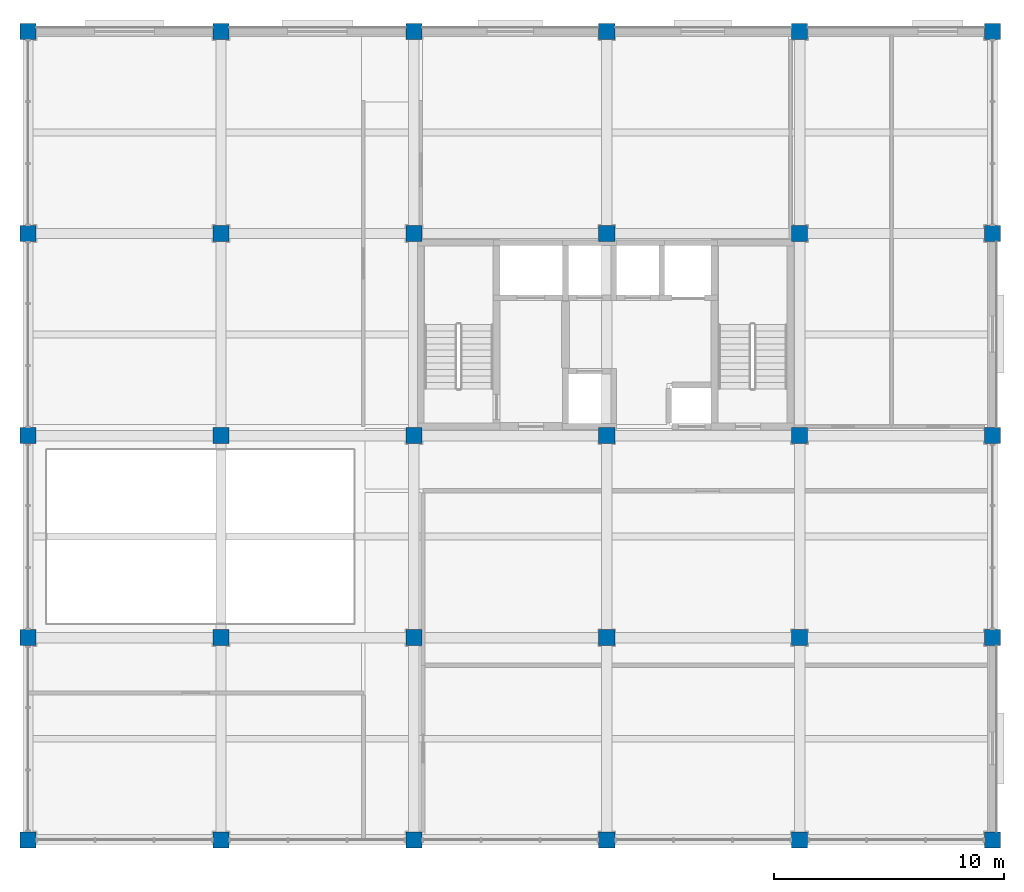
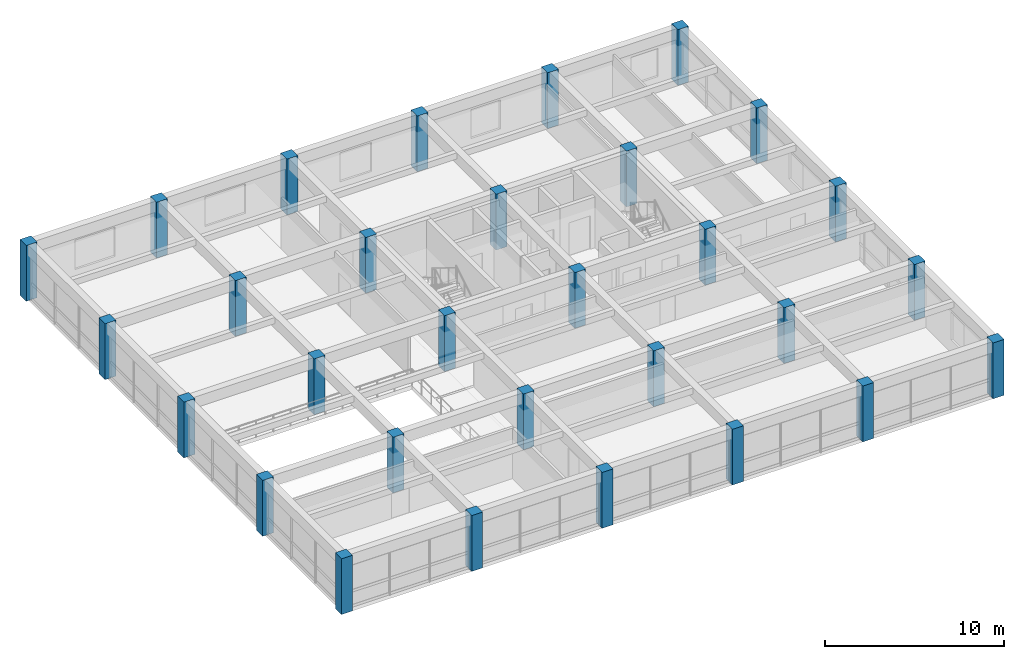
# One storey, part 1 of 13: 30 columns.
"""IFC4 building model written with IfcOpenShell, lengths in metres."""

import ifcopenshell
import ifcopenshell.guid

model = None  # the IFC model being written
_history = None  # IfcOwnerHistory: only IFC2X3 demands one
_inside = {}  # id of a spatial element -> (the spatial element, [elements in it])
_under = {}  # id of a project, library or spatial element -> (it, [spatial elements below it])
_declared = {}  # id of a project -> (the project, [libraries it declares])
_typed = {}  # id of a type object -> (the type object, [elements of that type])
_made_of = {}  # id of a material, layer set ... -> (it, [elements and type objects made of it])


def new_model(schema):
    """Start an empty IFC model of exactly this schema.

    Asked for "IFC4X3", IfcOpenShell would pick the latest addendum, in which some entities
    have other attributes; the version numbers below select the first issue.
    IFC2X3 requires an IfcOwnerHistory on every rooted entity: one is made here for all.
    """
    global model, _history
    if schema == "IFC4X3":
        model = ifcopenshell.file(schema_version=(4, 3, 0, 0))
    else:
        model = ifcopenshell.file(schema=schema)
    _inside.clear()
    _under.clear()
    _declared.clear()
    _typed.clear()
    _made_of.clear()
    _history = None
    if model.schema == "IFC2X3":
        org = make("IfcOrganization", Name="unknown")
        user = make(
            "IfcPersonAndOrganization",
            ThePerson=make("IfcPerson", FamilyName="unknown"),
            TheOrganization=org,
        )
        app = make(
            "IfcApplication",
            ApplicationDeveloper=org,
            Version="unknown",
            ApplicationFullName="unknown",
            ApplicationIdentifier="unknown",
        )
        _history = make(
            "IfcOwnerHistory",
            OwningUser=user,
            OwningApplication=app,
            ChangeAction="ADDED",
            CreationDate=0,
        )
    return model


def make(cls, **values):
    """One entity of the class cls with the attributes given. An attribute that is None is left unset."""
    return model.create_entity(
        cls, **{name: value for name, value in values.items() if value is not None}
    )


def rooted(cls, **values):
    """An entity with a GlobalId (a new one), such as an element, a storey or a relation."""
    return make(cls, GlobalId=ifcopenshell.guid.new(), OwnerHistory=_history, **values)


def si_unit(unit_type, name, prefix=None):
    """IfcSIUnit, for example si_unit("LENGTHUNIT", "METRE", prefix="MILLI")."""
    return make("IfcSIUnit", UnitType=unit_type, Prefix=prefix, Name=name)


def assignment(units):
    """IfcUnitAssignment: the units of a project."""
    return None if units is None else make("IfcUnitAssignment", Units=units)


def point(xyz):
    """IfcCartesianPoint."""
    return None if xyz is None else make("IfcCartesianPoint", Coordinates=xyz)


def direction(xyz):
    """IfcDirection."""
    return None if xyz is None else make("IfcDirection", DirectionRatios=xyz)


def frame(location, z_axis=None, x_axis=None):
    """IfcAxis2Placement3D, a coordinate frame: its origin and axes. An axis left out is left unset."""
    return make(
        "IfcAxis2Placement3D",
        Location=point(location),
        Axis=direction(z_axis),
        RefDirection=direction(x_axis),
    )


def frame_2d(location, x_axis=None):
    """IfcAxis2Placement2D, a coordinate frame in the plane: its origin and x axis."""
    return make(
        "IfcAxis2Placement2D", Location=point(location), RefDirection=direction(x_axis)
    )


def origin():
    """The frame at (0, 0, 0) with its axes left unset."""
    return frame((0.0, 0.0, 0.0))


def origin_2d():
    """The frame at (0, 0) in the plane with its x axis left unset."""
    return frame_2d((0.0, 0.0))


def place(relative_to, where):
    """IfcLocalPlacement: puts the frame where relative to a parent placement (None: the world)."""
    return make(
        "IfcLocalPlacement", PlacementRelTo=relative_to, RelativePlacement=where
    )


def context(
    kind, dimensions, precision=None, world=None, true_north=None, identifier=None
):
    """IfcGeometricRepresentationContext, for example the 3D "Model" context."""
    return make(
        "IfcGeometricRepresentationContext",
        ContextIdentifier=identifier,
        ContextType=kind,
        CoordinateSpaceDimension=dimensions,
        Precision=precision,
        WorldCoordinateSystem=world,
        TrueNorth=true_north,
    )


def subcontext(parent, identifier, kind, view, scale=None):
    """IfcGeometricRepresentationSubContext, for example "Body" below "Model"."""
    return make(
        "IfcGeometricRepresentationSubContext",
        ContextIdentifier=identifier,
        ContextType=kind,
        ParentContext=parent,
        TargetScale=scale,
        TargetView=view,
    )


def project(units=None, contexts=None):
    """IfcProject with its units and contexts."""
    return rooted(
        "IfcProject",
        Name="project",
        RepresentationContexts=contexts,
        UnitsInContext=assignment(units),
    )


def spatial(cls, under=None, at=None, **own):
    """A site, building, storey or space (cls), placed at a placement, below another one or the project."""
    s = rooted(cls, ObjectPlacement=at, **own)
    if under is not None:
        _under.setdefault(under.id(), (under, []))[1].append(s)
    return s


def profile(cls, at=None, kind="AREA", **sizes):
    """A parametric profile (cls). Its sizes go by their IFC names, for example OverallWidth=200.0."""
    return make(cls, ProfileType=kind, Position=at, **sizes)


def rectangle(**sizes):
    """IfcRectangleProfileDef."""
    return profile("IfcRectangleProfileDef", **sizes)


def extrude(swept, where, along, depth):
    """IfcExtrudedAreaSolid: the profile swept, set in the frame where, extruded along a direction by depth."""
    return make(
        "IfcExtrudedAreaSolid",
        SweptArea=swept,
        Position=where,
        ExtrudedDirection=direction(along),
        Depth=depth,
    )


def shape(context_of_items, identifier, shape_type, items):
    """IfcShapeRepresentation: the items that make up one representation, for example the "Body"."""
    return make(
        "IfcShapeRepresentation",
        ContextOfItems=context_of_items,
        RepresentationIdentifier=identifier,
        RepresentationType=shape_type,
        Items=items,
    )


def material(Name=None, Category=None):
    """IfcMaterial."""
    return make("IfcMaterial", Name=Name, Category=Category)


def material_profile(
    of_material, cross_section, Name=None, Category=None, Priority=None
):
    """IfcMaterialProfile: a cross section and its material."""
    return make(
        "IfcMaterialProfile",
        Name=Name,
        Material=of_material,
        Profile=cross_section,
        Priority=Priority,
        Category=Category,
    )


def profile_set(profiles, Name=None, composite=None):
    """IfcMaterialProfileSet."""
    return make(
        "IfcMaterialProfileSet",
        Name=Name,
        MaterialProfiles=profiles,
        CompositeProfile=composite,
    )


def made_of(thing, what):
    """Note that an element or type object is made of a material, layer set ...; save() writes the relation."""
    if what is not None:
        _made_of.setdefault(what.id(), (what, []))[1].append(thing)
    return thing


def type_object(cls, material=None, **own):
    """A type object (cls), such as IfcWallType, which elements share."""
    return made_of(rooted(cls, **own), material)


def element(
    cls,
    number,
    at=None,
    inside=None,
    cuts=None,
    type_object=None,
    material=None,
    context=None,
    identifier="Body",
    shape_type=None,
    held_by="IfcProductDefinitionShape",
    body=None,
    shapes=None,
    **own,
):
    """One element of the class cls, such as IfcWall. Its Tag is "e" and its number.

    at: its placement. inside: the storey or other place that contains it. cuts: it is an
    opening in that element (IfcRelVoidsElement). A single representation is given by context,
    identifier, shape_type and body (its items); several are given by shapes. held_by: the class
    of the entity that holds the representations. save() writes the other relations.
    """
    e = rooted(cls, Tag="e%d" % number, ObjectPlacement=at, **own)
    if body is not None:
        shapes = [shape(context, identifier, shape_type, body)]
    if shapes is not None:
        e.Representation = make(held_by, Representations=shapes)
    if inside is not None:
        _inside.setdefault(inside.id(), (inside, []))[1].append(e)
    if cuts is not None:
        rooted(
            "IfcRelVoidsElement", RelatingBuildingElement=cuts, RelatedOpeningElement=e
        )
    if type_object is not None:
        _typed.setdefault(type_object.id(), (type_object, []))[1].append(e)
    return made_of(e, material)


def aggregate(whole, parts):
    """IfcRelAggregates: a whole, such as a stair, and the parts it consists of."""
    return rooted("IfcRelAggregates", RelatingObject=whole, RelatedObjects=parts)


def save(model, path):
    """Write the relations noted so far, then the file.

    IfcRelAggregates (storeys below a building ...), IfcRelContainedInSpatialStructure (elements
    in a storey), IfcRelDefinesByType, IfcRelAssociatesMaterial and IfcRelDeclares: one each for
    every whole, place, type object, material and project.
    """
    for whole, parts in _under.values():
        aggregate(whole, parts)
    for where, things in _inside.values():
        rooted(
            "IfcRelContainedInSpatialStructure",
            RelatedElements=things,
            RelatingStructure=where,
        )
    for kind, things in _typed.values():
        rooted("IfcRelDefinesByType", RelatedObjects=things, RelatingType=kind)
    for what, things in _made_of.values():
        rooted("IfcRelAssociatesMaterial", RelatedObjects=things, RelatingMaterial=what)
    for by, libraries in _declared.values():
        rooted("IfcRelDeclares", RelatingContext=by, RelatedDefinitions=libraries)
    model.write(path)


model = new_model("IFC4")

# Units and contexts
model_context = context("Model", 3, precision=1e-05, world=origin(), true_north=direction((0.0, 1.0)))
body_context = subcontext(model_context, "Body", "Model", "MODEL_VIEW")
ifc_project = project(units=[si_unit("LENGTHUNIT", "METRE"), si_unit("AREAUNIT", "SQUARE_METRE"), si_unit("VOLUMEUNIT", "CUBIC_METRE"), si_unit("PLANEANGLEUNIT", "RADIAN"), si_unit("MASSUNIT", "GRAM", prefix="KILO")], contexts=[model_context])

# Site, building, storey
site_placement = place(None, origin())
site = spatial("IfcSite", under=ifc_project, at=site_placement, CompositionType="ELEMENT")
building_placement = place(site_placement, origin())
building = spatial("IfcBuilding", under=site, at=building_placement, Name="Kemercrest Conservatory and Botanical Centre", CompositionType="ELEMENT")
storey_placement = place(building_placement, frame((0.0, 0.0, 40.60009765625)))
storey = spatial("IfcBuildingStorey", under=building, at=storey_placement, Name="L10", CompositionType="ELEMENT", Elevation=40.60009765625)

# Columns
ifc_material = material(Name="Concrete C50/60", Category="concrete")
ifc_material_profile = material_profile(ifc_material, rectangle(XDim=0.699951171875, YDim=0.699951171875, at=origin_2d()), Name="RC 700x700")
ifc_profile_set = profile_set([ifc_material_profile], Name="Concrete C50/60")
column_type = type_object("IfcColumnType", Name="C-RC70", PredefinedType="COLUMN", material=ifc_profile_set)
for number, where, z_axis, x_axis, name in (
    (1, (134.0, 87.199951171875, 0.0), (0.0, 0.0, 1.0), (1.0, 0.0, 0.0), "Tower column C-RC70 16/K"),
    (2, (134.0, 96.0, 0.0), (0.0, 0.0, 1.0), (1.0, 0.0, 0.0), "Tower column C-RC70 16/L"),
    (3, (134.0, 104.800048828125, 0.0), (0.0, 0.0, 1.0), (1.0, 0.0, 0.0), "Tower column C-RC70 16/M"),
    (4, (134.0, 113.60009765625, 0.0), (0.0, 0.0, 1.0), (1.0, 0.0, 0.0), "Tower column C-RC70 16/N"),
    (5, (134.0, 122.39990234375, 0.0), (0.0, 0.0, 1.0), (1.0, 0.0, 0.0), "Tower column C-RC70 16/P"),
    (6, (142.39990234375, 87.199951171875, 0.0), (0.0, 0.0, 1.0), (1.0, 0.0, 0.0), "Tower column C-RC70 17/K"),
    (7, (142.39990234375, 96.0, 0.0), (0.0, 0.0, 1.0), (1.0, 0.0, 0.0), "Tower column C-RC70 17/L"),
    (8, (142.39990234375, 104.800048828125, 0.0), (0.0, 0.0, 1.0), (1.0, 0.0, 0.0), "Tower column C-RC70 17/M"),
    (9, (142.39990234375, 113.60009765625, 0.0), (0.0, 0.0, 1.0), (1.0, 0.0, 0.0), "Tower column C-RC70 17/N"),
    (10, (142.39990234375, 122.39990234375, 0.0), (0.0, 0.0, 1.0), (1.0, 0.0, 0.0), "Tower column C-RC70 17/P"),
    (11, (150.800048828125, 87.199951171875, 0.0), (0.0, 0.0, 1.0), (1.0, 0.0, 0.0), "Tower column C-RC70 18/K"),
    (12, (150.800048828125, 96.0, 0.0), (0.0, 0.0, 1.0), (1.0, 0.0, 0.0), "Tower column C-RC70 18/L"),
    (13, (150.800048828125, 104.800048828125, 0.0), (0.0, 0.0, 1.0), (1.0, 0.0, 0.0), "Tower column C-RC70 18/M"),
    (14, (150.800048828125, 113.60009765625, 0.0), (0.0, 0.0, 1.0), (1.0, 0.0, 0.0), "Tower column C-RC70 18/N"),
    (15, (150.800048828125, 122.39990234375, 0.0), (0.0, 0.0, 1.0), (1.0, 0.0, 0.0), "Tower column C-RC70 18/P"),
    (16, (159.199951171875, 87.199951171875, 0.0), (0.0, 0.0, 1.0), (1.0, 0.0, 0.0), "Tower column C-RC70 19/K"),
    (17, (159.199951171875, 96.0, 0.0), (0.0, 0.0, 1.0), (1.0, 0.0, 0.0), "Tower column C-RC70 19/L"),
    (18, (159.199951171875, 104.800048828125, 0.0), (0.0, 0.0, 1.0), (1.0, 0.0, 0.0), "Tower column C-RC70 19/M"),
    (19, (159.199951171875, 113.60009765625, 0.0), (0.0, 0.0, 1.0), (1.0, 0.0, 0.0), "Tower column C-RC70 19/N"),
    (20, (159.199951171875, 122.39990234375, 0.0), (0.0, 0.0, 1.0), (1.0, 0.0, 0.0), "Tower column C-RC70 19/P"),
    (21, (167.60009765625, 87.199951171875, 0.0), (0.0, 0.0, 1.0), (1.0, 0.0, 0.0), "Tower column C-RC70 20/K"),
    (22, (167.60009765625, 96.0, 0.0), (0.0, 0.0, 1.0), (1.0, 0.0, 0.0), "Tower column C-RC70 20/L"),
    (23, (167.60009765625, 104.800048828125, 0.0), (0.0, 0.0, 1.0), (1.0, 0.0, 0.0), "Tower column C-RC70 20/M"),
    (24, (167.60009765625, 113.60009765625, 0.0), (0.0, 0.0, 1.0), (1.0, 0.0, 0.0), "Tower column C-RC70 20/N"),
    (25, (167.60009765625, 122.39990234375, 0.0), (0.0, 0.0, 1.0), (1.0, 0.0, 0.0), "Tower column C-RC70 20/P"),
    (26, (176.0, 87.199951171875, 0.0), (0.0, 0.0, 1.0), (1.0, 0.0, 0.0), "Tower column C-RC70 21/K"),
    (27, (176.0, 96.0, 0.0), (0.0, 0.0, 1.0), (1.0, 0.0, 0.0), "Tower column C-RC70 21/L"),
    (28, (176.0, 104.800048828125, 0.0), (0.0, 0.0, 1.0), (1.0, 0.0, 0.0), "Tower column C-RC70 21/M"),
    (29, (176.0, 113.60009765625, 0.0), (0.0, 0.0, 1.0), (1.0, 0.0, 0.0), "Tower column C-RC70 21/N"),
    (30, (176.0, 122.39990234375, 0.0), (0.0, 0.0, 1.0), (1.0, 0.0, 0.0), "Tower column C-RC70 21/P"),
):
    element("IfcColumn", number, at=place(storey_placement, frame(where, z_axis=z_axis, x_axis=x_axis)), inside=storey, type_object=column_type, Name=name, PredefinedType="COLUMN", context=body_context, shape_type="SweptSolid", body=[
        extrude(rectangle(XDim=0.699951171875, YDim=0.699951171875, at=origin_2d()), origin(), (0.0, 0.0, 1.0), 3.7998046875),
    ])

save(model, "model.ifc")
